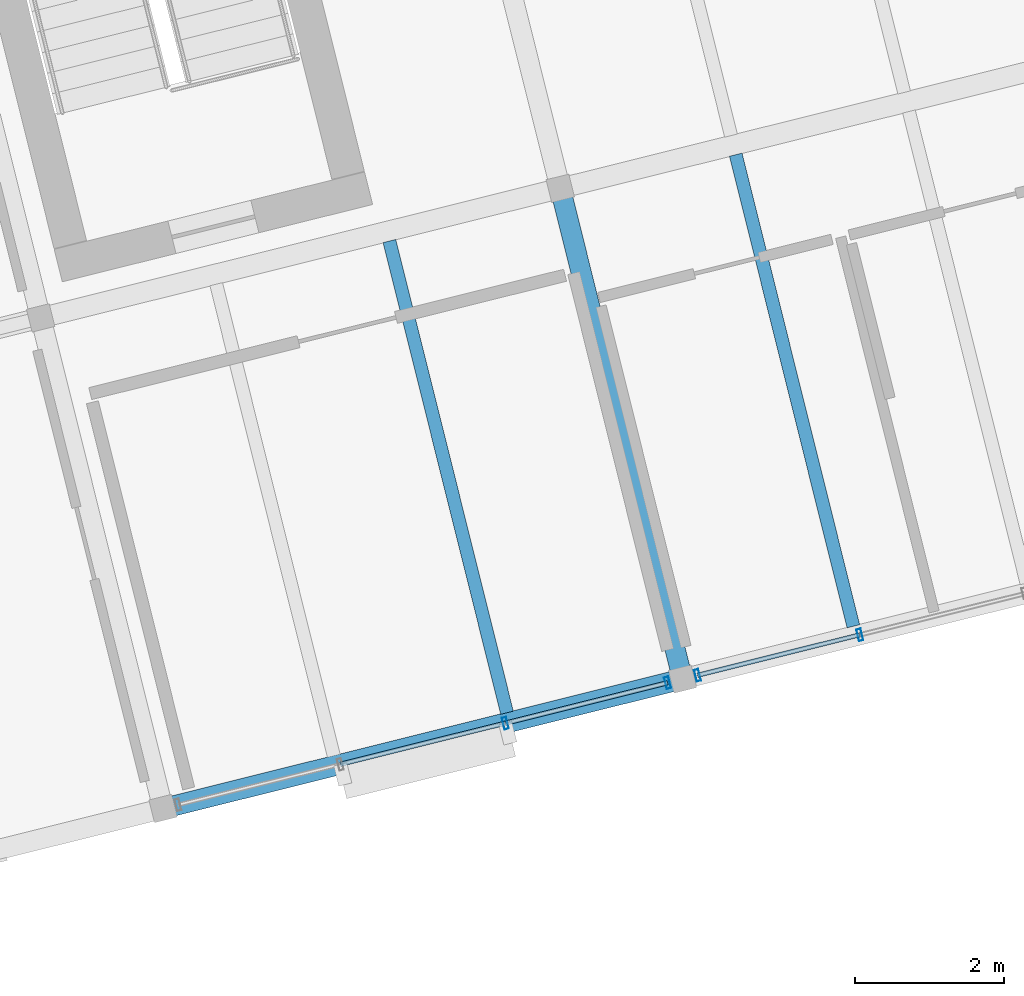
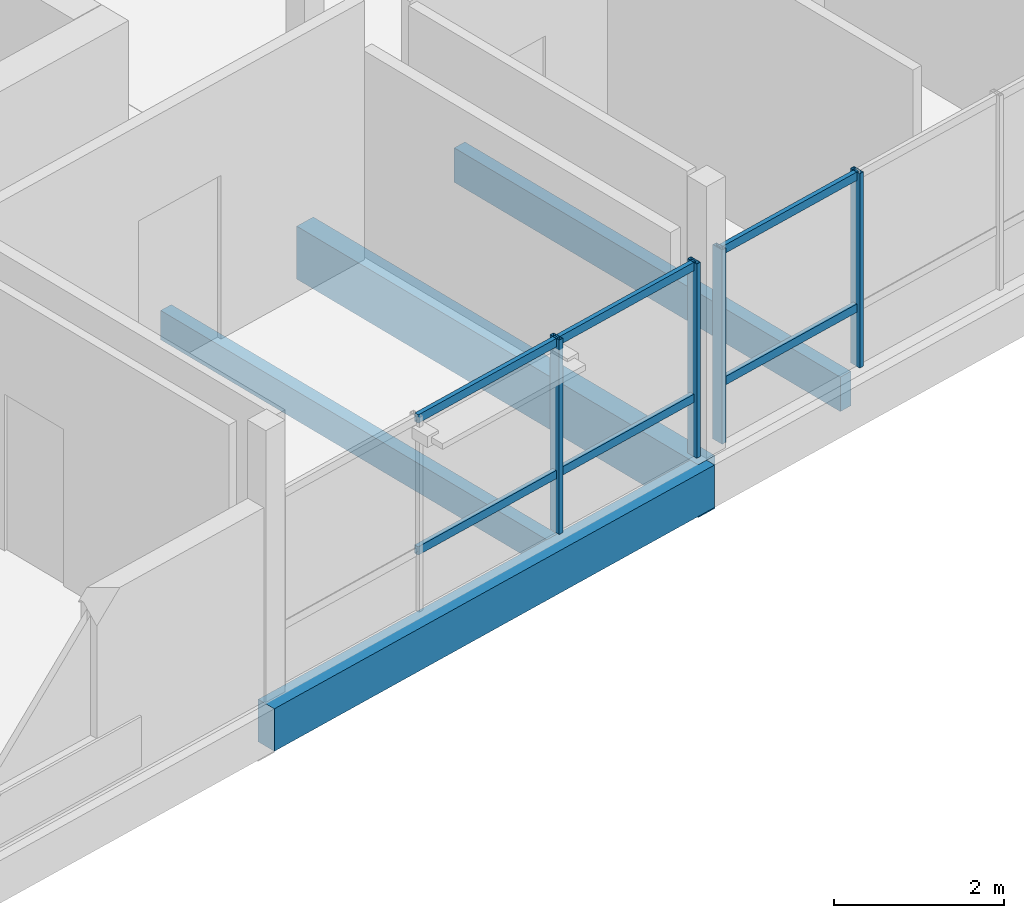
# One storey, part 6 of 25: 10 members, 4 beams, 2 elements without a shape of their own.
"""IFC4 building model written with IfcOpenShell, lengths in metres."""

from ifc_helpers import new_model, si_unit, direction, frame, origin, origin_2d, place, context, subcontext, project, spatial, rectangle, hollow_rectangle, extrude, material, layer, layer_set, material_profile, profile_set, type_object, element, aggregate, save


model = new_model("IFC4")

# Units and contexts
model_context = context("Model", 3, precision=1e-05, world=origin(), true_north=direction((0.0, 1.0)))
body_context = subcontext(model_context, "Body", "Model", "MODEL_VIEW")
ifc_project = project(units=[si_unit("LENGTHUNIT", "METRE"), si_unit("AREAUNIT", "SQUARE_METRE"), si_unit("VOLUMEUNIT", "CUBIC_METRE"), si_unit("PLANEANGLEUNIT", "RADIAN"), si_unit("MASSUNIT", "GRAM", prefix="KILO")], contexts=[model_context])

# Site, building, storey
site_placement = place(None, origin())
site = spatial("IfcSite", under=ifc_project, at=site_placement, CompositionType="ELEMENT")
building_placement = place(site_placement, origin())
building = spatial("IfcBuilding", under=site, at=building_placement, Name="Meriwether Solvik Hall", CompositionType="ELEMENT")
storey_placement = place(building_placement, frame((0.0, 0.0, 49.5)))
storey = spatial("IfcBuildingStorey", under=building, at=storey_placement, Name="L12", CompositionType="ELEMENT", Elevation=49.5)

# Beams
ifc_material_1 = material(Name="Glulam Douglas-Fir 24F-V8 GL28h", Category="wood")
ifc_material_profile_1 = material_profile(ifc_material_1, rectangle(XDim=0.27294921875, YDim=0.610107421875, at=origin_2d()), Name="GLB-273X610")
ifc_profile_set_1 = profile_set([ifc_material_profile_1], Name="Glulam Douglas-Fir 24F-V8 GL28h")
beam_type_1 = type_object("IfcBeamType", Name="BM-GL-273X610", PredefinedType="SPANDREL", material=ifc_profile_set_1)
beam_1_placement = place(storey_placement, frame((75.974365234375, 43.03857421875, -0.485107421875), z_axis=(0.970291911955, 0.241937193493, 0.0), x_axis=(-0.241937193493, 0.970291911955, 0.0)))
element("IfcBeam", 1, at=beam_1_placement, inside=storey, type_object=beam_type_1, Name="Tower Girder TA:T2-T3 (L12)", PredefinedType="SPANDREL", context=body_context, shape_type="SweptSolid", body=[
    extrude(rectangle(XDim=0.27294921875, YDim=0.610107421875, at=origin_2d()), origin(), (0.0, 0.0, 1.0), 7.199951171875),
])
ifc_material_2 = material(Name="Glulam Douglas-Fir 24F-V8 GL28h", Category="wood")
ifc_material_profile_2 = material_profile(ifc_material_2, rectangle(XDim=0.27294921875, YDim=0.760009765625, at=origin_2d()), Name="GLB-273X760")
ifc_profile_set_2 = profile_set([ifc_material_profile_2], Name="Glulam Douglas-Fir 24F-V8 GL28h")
beam_type_2 = type_object("IfcBeamType", Name="BM-GL-273X760", PredefinedType="BEAM", material=ifc_profile_set_2)
beam_2_placement = place(storey_placement, frame((82.96044921875, 44.780517578125, -0.56005859375), z_axis=(-0.241918877831, 0.970296478685, 0.0), x_axis=(-0.970296478685, -0.241918877831, 0.0)))
element("IfcBeam", 2, at=beam_2_placement, inside=storey, type_object=beam_type_2, Name="Tower Girder T3:TA-TB (L12)", PredefinedType="BEAM", context=body_context, shape_type="SweptSolid", body=[
    extrude(rectangle(XDim=0.27294921875, YDim=0.760009765625, at=origin_2d()), origin(), (0.0, 0.0, 1.0), 6.7998046875),
])

# Curtain wall, members
ifc_material_3 = material(Name="Thermally Broken Anodised Aluminium 6063-T6 and Low-E Glass", Category="aluminium")
ifc_layer_1 = layer(ifc_material_3, 0.179931640625)
ifc_layer_set_1 = layer_set([ifc_layer_1], Name="Thermally Broken Anodised Aluminium 6063-T6 and Low-E Glass")
curtain_wall_type_1 = type_object("IfcCurtainWallType", Name="CW-UNIT-D", PredefinedType="USERDEFINED", material=ifc_layer_set_1)
curtain_wall_1_placement = place(storey_placement, origin())
curtain_wall_1 = element("IfcCurtainWall", 3, at=curtain_wall_1_placement, inside=storey, type_object=curtain_wall_type_1, Name="Curtain Wall E0_B1 (L12)", ObjectType="UNITISED CURTAIN WALL", PredefinedType="USERDEFINED")
ifc_material_4 = material(Name="Anodised Aluminium 6063-T6", Category="aluminium")
ifc_material_profile_3 = material_profile(ifc_material_4, hollow_rectangle(XDim=0.06005859375, YDim=0.159912109375, WallThickness=0.00390625, at=origin_2d()), Name="CWM-60X160")
ifc_profile_set_3 = profile_set([ifc_material_profile_3], Name="Anodised Aluminium 6063-T6")
member_type_1 = type_object("IfcMemberType", Name="CW-MUL-60X160", PredefinedType="MULLION", material=ifc_profile_set_3)
member_1_placement = place(storey_placement, frame((82.759033203125, 44.730224609375, 0.0), z_axis=(0.0, 0.0, 1.0), x_axis=(-0.970295730764, -0.241921877598, 0.0)))
member_1 = element("IfcMember", 4, at=member_1_placement, type_object=member_type_1, Name="Curtain Wall Mullion 1", PredefinedType="MULLION", context=body_context, shape_type="SweptSolid", body=[
    extrude(hollow_rectangle(XDim=0.06005859375, YDim=0.159912109375, WallThickness=0.00390625, at=origin_2d()), origin(), (0.0, 0.0, 1.0), 2.7900390625),
])
member_2_placement = place(storey_placement, frame((80.576904296875, 44.186279296875, 0.0), z_axis=(0.0, 0.0, 1.0), x_axis=(-0.970295730764, -0.241921877598, 0.0)))
member_2 = element("IfcMember", 5, at=member_2_placement, type_object=member_type_1, Name="Curtain Wall Mullion 2", PredefinedType="MULLION", context=body_context, shape_type="SweptSolid", body=[
    extrude(hollow_rectangle(XDim=0.06005859375, YDim=0.159912109375, WallThickness=0.00390625, at=origin_2d()), origin(), (0.0, 0.0, 1.0), 2.7900390625),
])

ifc_material_5 = material(Name="Thermally Broken Anodised Aluminium 6063-T6 and Low-E Glass", Category="aluminium")
ifc_layer_2 = layer(ifc_material_5, 0.179931640625)
ifc_layer_set_2 = layer_set([ifc_layer_2], Name="Thermally Broken Anodised Aluminium 6063-T6 and Low-E Glass")
curtain_wall_type_2 = type_object("IfcCurtainWallType", Name="CW-UNIT-E", PredefinedType="USERDEFINED", material=ifc_layer_set_2)
curtain_wall_2_placement = place(storey_placement, origin())
curtain_wall_2 = element("IfcCurtainWall", 6, at=curtain_wall_2_placement, inside=storey, type_object=curtain_wall_type_2, Name="Curtain Wall E0_B2 (L12)", ObjectType="UNITISED CURTAIN WALL", PredefinedType="USERDEFINED")
member_3_placement = place(storey_placement, frame((85.343994140625, 45.374755859375, 0.0), z_axis=(0.0, 0.0, 1.0), x_axis=(-0.970295730764, -0.241921877598, 0.0)))
member_3 = element("IfcMember", 7, at=member_3_placement, type_object=member_type_1, Name="Curtain Wall Mullion 3", PredefinedType="MULLION", context=body_context, shape_type="SweptSolid", body=[
    extrude(hollow_rectangle(XDim=0.06005859375, YDim=0.159912109375, WallThickness=0.00390625, at=origin_2d()), origin(), (0.0, 0.0, 1.0), 2.7900390625),
])
member_4_placement = place(storey_placement, frame((83.16162109375, 44.83056640625, 0.0), z_axis=(0.0, 0.0, 1.0), x_axis=(-0.970295730764, -0.241921877598, 0.0)))
member_4 = element("IfcMember", 8, at=member_4_placement, type_object=member_type_1, Name="Curtain Wall Mullion 4", PredefinedType="MULLION", context=body_context, shape_type="SweptSolid", body=[
    extrude(hollow_rectangle(XDim=0.06005859375, YDim=0.159912109375, WallThickness=0.00390625, at=origin_2d()), origin(), (0.0, 0.0, 1.0), 2.7900390625),
])

# Member
ifc_material_6 = material(Name="Anodised Aluminium 6063-T6", Category="aluminium")
ifc_material_profile_4 = material_profile(ifc_material_6, hollow_rectangle(XDim=0.06005859375, YDim=0.1201171875, WallThickness=0.00390625, at=origin_2d()), Name="CWT-60X120")
ifc_profile_set_4 = profile_set([ifc_material_profile_4], Name="Anodised Aluminium 6063-T6")
member_type_2 = type_object("IfcMemberType", Name="CW-TRN-60X120", PredefinedType="USERDEFINED", material=ifc_profile_set_4)
member_5_placement = place(storey_placement, frame((82.759033203125, 44.730224609375, 0.8369140625), z_axis=(-0.970308305597, -0.241871437108, 0.0), x_axis=(0.241871437108, -0.970308305597, 0.0)))
member_5 = element("IfcMember", 9, at=member_5_placement, type_object=member_type_2, Name="Curtain Wall Transom 1-sill", ObjectType="TRANSOM", PredefinedType="USERDEFINED", context=body_context, shape_type="SweptSolid", body=[
    extrude(hollow_rectangle(XDim=0.06005859375, YDim=0.1201171875, WallThickness=0.00390625, at=origin_2d()), origin(), (0.0, 0.0, 1.0), 2.2490234375),
])

member_6_placement = place(storey_placement, frame((82.759033203125, 44.730224609375, 2.72998046875), z_axis=(-0.970308305597, -0.241871437108, 0.0), x_axis=(0.241871437108, -0.970308305597, 0.0)))
member_6 = element("IfcMember", 10, at=member_6_placement, type_object=member_type_2, Name="Curtain Wall Transom 1-head", ObjectType="TRANSOM", PredefinedType="USERDEFINED", context=body_context, shape_type="SweptSolid", body=[
    extrude(hollow_rectangle(XDim=0.06005859375, YDim=0.1201171875, WallThickness=0.00390625, at=origin_2d()), origin(), (0.0, 0.0, 1.0), 2.2490234375),
])

member_7_placement = place(storey_placement, frame((80.576904296875, 44.186279296875, 0.8369140625), z_axis=(-0.970280478888, -0.241983041324, 0.0), x_axis=(0.241983041324, -0.970280478888, 0.0)))
member_7 = element("IfcMember", 11, at=member_7_placement, type_object=member_type_2, Name="Curtain Wall Transom 2-sill", ObjectType="TRANSOM", PredefinedType="USERDEFINED", context=body_context, shape_type="SweptSolid", body=[
    extrude(hollow_rectangle(XDim=0.06005859375, YDim=0.1201171875, WallThickness=0.00390625, at=origin_2d()), origin(), (0.0, 0.0, 1.0), 2.287109375),
])

member_8_placement = place(storey_placement, frame((80.576904296875, 44.186279296875, 2.72998046875), z_axis=(-0.970280478888, -0.241983041324, 0.0), x_axis=(0.241983041324, -0.970280478888, 0.0)))
member_8 = element("IfcMember", 12, at=member_8_placement, type_object=member_type_2, Name="Curtain Wall Transom 2-head", ObjectType="TRANSOM", PredefinedType="USERDEFINED", context=body_context, shape_type="SweptSolid", body=[
    extrude(hollow_rectangle(XDim=0.06005859375, YDim=0.1201171875, WallThickness=0.00390625, at=origin_2d()), origin(), (0.0, 0.0, 1.0), 2.287109375),
])

aggregate(curtain_wall_1, [member_1, member_2, member_5, member_6, member_7, member_8])

member_9_placement = place(storey_placement, frame((85.343994140625, 45.374755859375, 0.8369140625), z_axis=(-0.970289178123, -0.241948157292, 0.0), x_axis=(0.241948157292, -0.970289178123, 0.0)))
member_9 = element("IfcMember", 13, at=member_9_placement, type_object=member_type_2, Name="Curtain Wall Transom 3-sill", ObjectType="TRANSOM", PredefinedType="USERDEFINED", context=body_context, shape_type="SweptSolid", body=[
    extrude(hollow_rectangle(XDim=0.06005859375, YDim=0.1201171875, WallThickness=0.00390625, at=origin_2d()), origin(), (0.0, 0.0, 1.0), 2.249267578125),
])

member_10_placement = place(storey_placement, frame((85.343994140625, 45.374755859375, 2.72998046875), z_axis=(-0.970289178123, -0.241948157292, 0.0), x_axis=(0.241948157292, -0.970289178123, 0.0)))
member_10 = element("IfcMember", 14, at=member_10_placement, type_object=member_type_2, Name="Curtain Wall Transom 3-head", ObjectType="TRANSOM", PredefinedType="USERDEFINED", context=body_context, shape_type="SweptSolid", body=[
    extrude(hollow_rectangle(XDim=0.06005859375, YDim=0.1201171875, WallThickness=0.00390625, at=origin_2d()), origin(), (0.0, 0.0, 1.0), 2.249267578125),
])

aggregate(curtain_wall_2, [member_3, member_4, member_9, member_10])

# Beams
ifc_material_7 = material(Name="Glulam Douglas-Fir 24F-V8 GL28h", Category="wood")
ifc_material_profile_5 = material_profile(ifc_material_7, rectangle(XDim=0.175048828125, YDim=0.419921875, at=origin_2d()), Name="GLJ-175X420")
ifc_profile_set_5 = profile_set([ifc_material_profile_5], Name="Glulam Douglas-Fir 24F-V8 GL28h")
beam_type_3 = type_object("IfcBeamType", Name="JST-GL-175X420", PredefinedType="JOIST", material=ifc_profile_set_5)
beam_3_placement = place(storey_placement, frame((80.599853515625, 44.327392578125, -0.389892578125), z_axis=(-0.241938016776, 0.970291706673, 0.0), x_axis=(-0.970291706673, -0.241938016776, 0.0)))
element("IfcBeam", 15, at=beam_3_placement, inside=storey, type_object=beam_type_3, Name="Glulam Floor Joist T2/TA-J2 (L12)", PredefinedType="JOIST", context=body_context, shape_type="SweptSolid", body=[
    extrude(rectangle(XDim=0.175048828125, YDim=0.419921875, at=origin_2d()), origin(), (0.0, 0.0, 1.0), 6.536865234375),
])
ifc_material_8 = material(Name="Glulam Douglas-Fir 24F-V8 GL28h", Category="wood")
ifc_material_profile_6 = material_profile(ifc_material_8, rectangle(XDim=0.175048828125, YDim=0.4951171875, at=origin_2d()), Name="GLJ-175X495")
ifc_profile_set_6 = profile_set([ifc_material_profile_6], Name="Glulam Douglas-Fir 24F-V8 GL28h")
beam_type_4 = type_object("IfcBeamType", Name="JST-GL-175X495", PredefinedType="JOIST", material=ifc_profile_set_6)
beam_4_placement = place(storey_placement, frame((85.25732421875, 45.48876953125, -0.427490234375), z_axis=(-0.241938016776, 0.970291706673, 0.0), x_axis=(-0.970291706673, -0.241938016776, 0.0)))
element("IfcBeam", 16, at=beam_4_placement, inside=storey, type_object=beam_type_4, Name="Glulam Floor Joist T3/TA-J1 (L12)", PredefinedType="JOIST", context=body_context, shape_type="SweptSolid", body=[
    extrude(rectangle(XDim=0.175048828125, YDim=0.4951171875, at=origin_2d()), origin(), (0.0, 0.0, 1.0), 6.536865234375),
])

save(model, "model.ifc")
